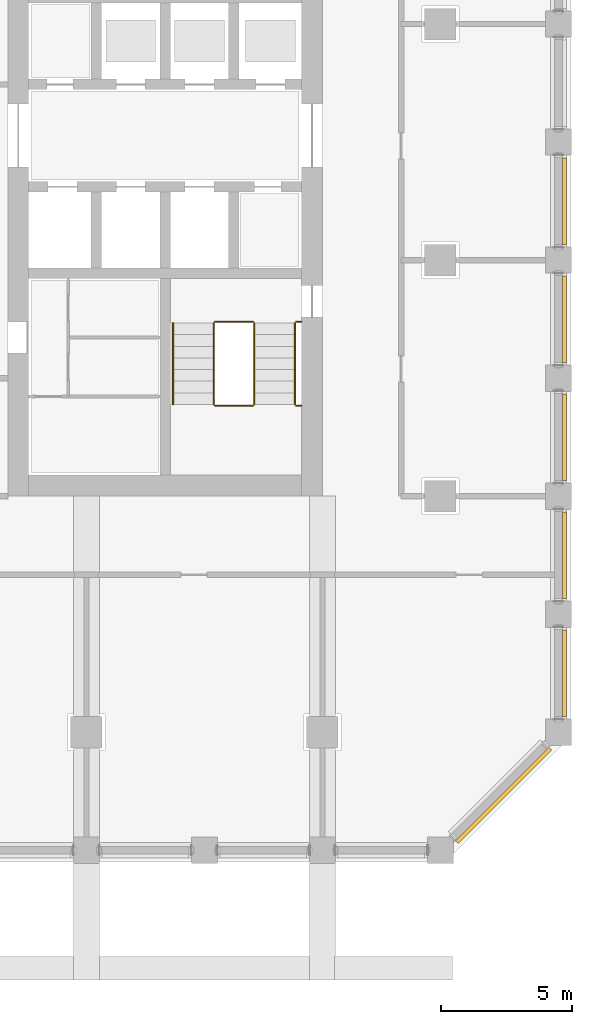
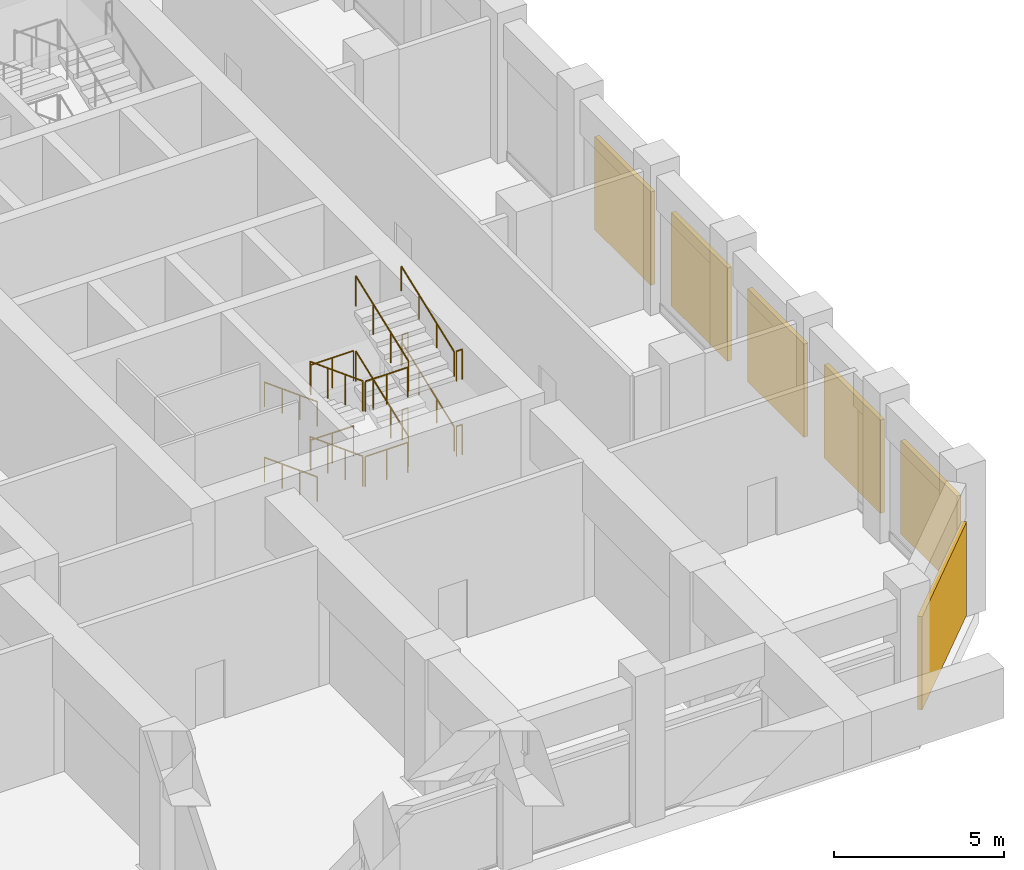
# One storey, part 15 of 20: 16 railings, 6 shading devices.
"""IFC4 building model written with IfcOpenShell, lengths in metres."""

import ifcopenshell
import ifcopenshell.guid

model = None  # the IFC model being written
_history = None  # IfcOwnerHistory: only IFC2X3 demands one
_inside = {}  # id of a spatial element -> (the spatial element, [elements in it])
_under = {}  # id of a project, library or spatial element -> (it, [spatial elements below it])
_declared = {}  # id of a project -> (the project, [libraries it declares])
_typed = {}  # id of a type object -> (the type object, [elements of that type])
_made_of = {}  # id of a material, layer set ... -> (it, [elements and type objects made of it])


def new_model(schema):
    """Start an empty IFC model of exactly this schema.

    Asked for "IFC4X3", IfcOpenShell would pick the latest addendum, in which some entities
    have other attributes; the version numbers below select the first issue.
    IFC2X3 requires an IfcOwnerHistory on every rooted entity: one is made here for all.
    """
    global model, _history
    if schema == "IFC4X3":
        model = ifcopenshell.file(schema_version=(4, 3, 0, 0))
    else:
        model = ifcopenshell.file(schema=schema)
    _inside.clear()
    _under.clear()
    _declared.clear()
    _typed.clear()
    _made_of.clear()
    _history = None
    if model.schema == "IFC2X3":
        org = make("IfcOrganization", Name="unknown")
        user = make(
            "IfcPersonAndOrganization",
            ThePerson=make("IfcPerson", FamilyName="unknown"),
            TheOrganization=org,
        )
        app = make(
            "IfcApplication",
            ApplicationDeveloper=org,
            Version="unknown",
            ApplicationFullName="unknown",
            ApplicationIdentifier="unknown",
        )
        _history = make(
            "IfcOwnerHistory",
            OwningUser=user,
            OwningApplication=app,
            ChangeAction="ADDED",
            CreationDate=0,
        )
    return model


def make(cls, **values):
    """One entity of the class cls with the attributes given. An attribute that is None is left unset."""
    return model.create_entity(
        cls, **{name: value for name, value in values.items() if value is not None}
    )


def rooted(cls, **values):
    """An entity with a GlobalId (a new one), such as an element, a storey or a relation."""
    return make(cls, GlobalId=ifcopenshell.guid.new(), OwnerHistory=_history, **values)


def si_unit(unit_type, name, prefix=None):
    """IfcSIUnit, for example si_unit("LENGTHUNIT", "METRE", prefix="MILLI")."""
    return make("IfcSIUnit", UnitType=unit_type, Prefix=prefix, Name=name)


def assignment(units):
    """IfcUnitAssignment: the units of a project."""
    return None if units is None else make("IfcUnitAssignment", Units=units)


def point(xyz):
    """IfcCartesianPoint."""
    return None if xyz is None else make("IfcCartesianPoint", Coordinates=xyz)


def direction(xyz):
    """IfcDirection."""
    return None if xyz is None else make("IfcDirection", DirectionRatios=xyz)


def frame(location, z_axis=None, x_axis=None):
    """IfcAxis2Placement3D, a coordinate frame: its origin and axes. An axis left out is left unset."""
    return make(
        "IfcAxis2Placement3D",
        Location=point(location),
        Axis=direction(z_axis),
        RefDirection=direction(x_axis),
    )


def frame_2d(location, x_axis=None):
    """IfcAxis2Placement2D, a coordinate frame in the plane: its origin and x axis."""
    return make(
        "IfcAxis2Placement2D", Location=point(location), RefDirection=direction(x_axis)
    )


def origin():
    """The frame at (0, 0, 0) with its axes left unset."""
    return frame((0.0, 0.0, 0.0))


def origin_2d():
    """The frame at (0, 0) in the plane with its x axis left unset."""
    return frame_2d((0.0, 0.0))


def place(relative_to, where):
    """IfcLocalPlacement: puts the frame where relative to a parent placement (None: the world)."""
    return make(
        "IfcLocalPlacement", PlacementRelTo=relative_to, RelativePlacement=where
    )


def context(
    kind, dimensions, precision=None, world=None, true_north=None, identifier=None
):
    """IfcGeometricRepresentationContext, for example the 3D "Model" context."""
    return make(
        "IfcGeometricRepresentationContext",
        ContextIdentifier=identifier,
        ContextType=kind,
        CoordinateSpaceDimension=dimensions,
        Precision=precision,
        WorldCoordinateSystem=world,
        TrueNorth=true_north,
    )


def subcontext(parent, identifier, kind, view, scale=None):
    """IfcGeometricRepresentationSubContext, for example "Body" below "Model"."""
    return make(
        "IfcGeometricRepresentationSubContext",
        ContextIdentifier=identifier,
        ContextType=kind,
        ParentContext=parent,
        TargetScale=scale,
        TargetView=view,
    )


def project(units=None, contexts=None):
    """IfcProject with its units and contexts."""
    return rooted(
        "IfcProject",
        Name="project",
        RepresentationContexts=contexts,
        UnitsInContext=assignment(units),
    )


def spatial(cls, under=None, at=None, **own):
    """A site, building, storey or space (cls), placed at a placement, below another one or the project."""
    s = rooted(cls, ObjectPlacement=at, **own)
    if under is not None:
        _under.setdefault(under.id(), (under, []))[1].append(s)
    return s


def profile(cls, at=None, kind="AREA", **sizes):
    """A parametric profile (cls). Its sizes go by their IFC names, for example OverallWidth=200.0."""
    return make(cls, ProfileType=kind, Position=at, **sizes)


def rectangle(**sizes):
    """IfcRectangleProfileDef."""
    return profile("IfcRectangleProfileDef", **sizes)


def circle(**sizes):
    """IfcCircleProfileDef."""
    return profile("IfcCircleProfileDef", **sizes)


def extrude(swept, where, along, depth):
    """IfcExtrudedAreaSolid: the profile swept, set in the frame where, extruded along a direction by depth."""
    return make(
        "IfcExtrudedAreaSolid",
        SweptArea=swept,
        Position=where,
        ExtrudedDirection=direction(along),
        Depth=depth,
    )


def shape(context_of_items, identifier, shape_type, items):
    """IfcShapeRepresentation: the items that make up one representation, for example the "Body"."""
    return make(
        "IfcShapeRepresentation",
        ContextOfItems=context_of_items,
        RepresentationIdentifier=identifier,
        RepresentationType=shape_type,
        Items=items,
    )


def material(Name=None, Category=None):
    """IfcMaterial."""
    return make("IfcMaterial", Name=Name, Category=Category)


def layer(
    of_material, thickness, ventilated=None, Name=None, Category=None, Priority=None
):
    """IfcMaterialLayer: one layer of a wall or slab, of a material (None: an air gap)."""
    return make(
        "IfcMaterialLayer",
        Material=of_material,
        LayerThickness=thickness,
        IsVentilated=ventilated,
        Name=Name,
        Category=Category,
        Priority=Priority,
    )


def layer_set(layers, Name=None):
    """IfcMaterialLayerSet."""
    return make("IfcMaterialLayerSet", MaterialLayers=layers, LayerSetName=Name)


def made_of(thing, what):
    """Note that an element or type object is made of a material, layer set ...; save() writes the relation."""
    if what is not None:
        _made_of.setdefault(what.id(), (what, []))[1].append(thing)
    return thing


def type_object(cls, material=None, **own):
    """A type object (cls), such as IfcWallType, which elements share."""
    return made_of(rooted(cls, **own), material)


def element(
    cls,
    number,
    at=None,
    inside=None,
    cuts=None,
    type_object=None,
    material=None,
    context=None,
    identifier="Body",
    shape_type=None,
    held_by="IfcProductDefinitionShape",
    body=None,
    shapes=None,
    **own,
):
    """One element of the class cls, such as IfcWall. Its Tag is "e" and its number.

    at: its placement. inside: the storey or other place that contains it. cuts: it is an
    opening in that element (IfcRelVoidsElement). A single representation is given by context,
    identifier, shape_type and body (its items); several are given by shapes. held_by: the class
    of the entity that holds the representations. save() writes the other relations.
    """
    e = rooted(cls, Tag="e%d" % number, ObjectPlacement=at, **own)
    if body is not None:
        shapes = [shape(context, identifier, shape_type, body)]
    if shapes is not None:
        e.Representation = make(held_by, Representations=shapes)
    if inside is not None:
        _inside.setdefault(inside.id(), (inside, []))[1].append(e)
    if cuts is not None:
        rooted(
            "IfcRelVoidsElement", RelatingBuildingElement=cuts, RelatedOpeningElement=e
        )
    if type_object is not None:
        _typed.setdefault(type_object.id(), (type_object, []))[1].append(e)
    return made_of(e, material)


def aggregate(whole, parts):
    """IfcRelAggregates: a whole, such as a stair, and the parts it consists of."""
    return rooted("IfcRelAggregates", RelatingObject=whole, RelatedObjects=parts)


def save(model, path):
    """Write the relations noted so far, then the file.

    IfcRelAggregates (storeys below a building ...), IfcRelContainedInSpatialStructure (elements
    in a storey), IfcRelDefinesByType, IfcRelAssociatesMaterial and IfcRelDeclares: one each for
    every whole, place, type object, material and project.
    """
    for whole, parts in _under.values():
        aggregate(whole, parts)
    for where, things in _inside.values():
        rooted(
            "IfcRelContainedInSpatialStructure",
            RelatedElements=things,
            RelatingStructure=where,
        )
    for kind, things in _typed.values():
        rooted("IfcRelDefinesByType", RelatedObjects=things, RelatingType=kind)
    for what, things in _made_of.values():
        rooted("IfcRelAssociatesMaterial", RelatedObjects=things, RelatingMaterial=what)
    for by, libraries in _declared.values():
        rooted("IfcRelDeclares", RelatingContext=by, RelatedDefinitions=libraries)
    model.write(path)


model = new_model("IFC4")

# Units and contexts
model_context = context("Model", 3, precision=1e-05, world=origin(), true_north=direction((0.0, 1.0)))
body_context = subcontext(model_context, "Body", "Model", "MODEL_VIEW")
ifc_project = project(units=[si_unit("LENGTHUNIT", "METRE"), si_unit("AREAUNIT", "SQUARE_METRE"), si_unit("VOLUMEUNIT", "CUBIC_METRE"), si_unit("PLANEANGLEUNIT", "RADIAN"), si_unit("MASSUNIT", "GRAM", prefix="KILO")], contexts=[model_context])

# Site, building, storey
site_placement = place(None, origin())
site = spatial("IfcSite", under=ifc_project, at=site_placement, CompositionType="ELEMENT")
building_placement = place(site_placement, origin())
building = spatial("IfcBuilding", under=site, at=building_placement, Name="Corbel Stack Research Tower", CompositionType="ELEMENT")
storey_placement = place(building_placement, frame((0.0, 0.0, 151.39990234375)))
storey = spatial("IfcBuildingStorey", under=building, at=storey_placement, Name="L34", CompositionType="ELEMENT", Elevation=151.39990234375)

# Shading devices
ifc_material_1 = material(Name="Aluminium louvre", Category="aluminium")
ifc_layer = layer(ifc_material_1, 0.14990234375)
ifc_layer_set = layer_set([ifc_layer], Name="Aluminium louvre")
shading_device_type = type_object("IfcShadingDeviceType", Name="Plant louvre 150", PredefinedType="USERDEFINED", material=ifc_layer_set)
shading_device_placement = place(storey_placement, frame((24.9091796875, -20.4091796875, 0.199951171875), z_axis=(0.0, 0.0, 1.0), x_axis=(0.707106781187, 0.707106781187, 0.0)))
element("IfcShadingDevice", 1, at=shading_device_placement, inside=storey, type_object=shading_device_type, Name="Plant louvre L34 SE01", ObjectType="LOUVRE", PredefinedType="USERDEFINED", context=body_context, shape_type="SweptSolid", body=[
    extrude(rectangle(XDim=5.0498046875, YDim=0.14990234375, at=origin_2d()), origin(), (0.0, 0.0, 1.0), 3.35009765625),
])
for number, where, z_axis, x_axis, name in (
    (2, (27.22509765625, -15.75, 0.199951171875), (0.0, 0.0, 1.0), (0.0, 1.0, 0.0), "Plant louvre L34 E01"),
    (3, (27.22509765625, -11.25, 0.199951171875), (0.0, 0.0, 1.0), (0.0, 1.0, 0.0), "Plant louvre L34 E02"),
    (4, (27.22509765625, -6.75, 0.199951171875), (0.0, 0.0, 1.0), (0.0, 1.0, 0.0), "Plant louvre L34 E03"),
    (5, (27.22509765625, -2.25, 0.199951171875), (0.0, 0.0, 1.0), (0.0, 1.0, 0.0), "Plant louvre L34 E04"),
    (6, (27.22509765625, 2.25, 0.199951171875), (0.0, 0.0, 1.0), (0.0, 1.0, 0.0), "Plant louvre L34 E05"),
):
    element("IfcShadingDevice", number, at=place(storey_placement, frame(where, z_axis=z_axis, x_axis=x_axis)), inside=storey, type_object=shading_device_type, Name=name, ObjectType="LOUVRE", PredefinedType="USERDEFINED", context=body_context, shape_type="SweptSolid", body=[
        extrude(rectangle(XDim=3.300048828125, YDim=0.14990234375, at=origin_2d()), origin(), (0.0, 0.0, 1.0), 3.35009765625),
    ])

# Railings
ifc_material_2 = material(Name="Steel S355", Category="steel")
railing_type_1 = type_object("IfcRailingType", Name="Stair guard 1100", PredefinedType="GUARDRAIL", material=ifc_material_2)
railing_1_placement = place(storey_placement, frame((13.85009765625, -2.39990234375, 0.1689453125)))
element("IfcRailing", 7, at=railing_1_placement, inside=storey, type_object=railing_type_1, Name="L34 ST-E1 stair guard 1", PredefinedType="GUARDRAIL", context=body_context, shape_type="SweptSolid", body=[
    extrude(circle(Radius=0.02392578125, at=origin_2d()), frame((0.0, 0.0, 1.076171875), z_axis=(0.0, -0.934508712189, 0.355940257406), x_axis=(1.0, 0.0, 0.0)), (0.0, 0.0, 1.0), 3.318359375),
    extrude(circle(Radius=0.02099609375, at=origin_2d()), origin(), (0.0, 0.0, 1.0), 1.052001953125),
    extrude(circle(Radius=0.02099609375, at=origin_2d()), frame((0.0, -1.03369140625, 0.393798828125)), (0.0, 0.0, 1.0), 1.052001953125),
    extrude(circle(Radius=0.02099609375, at=origin_2d()), frame((0.0, -2.0673828125, 0.787353515625)), (0.0, 0.0, 1.0), 1.052001953125),
    extrude(circle(Radius=0.02099609375, at=origin_2d()), frame((0.0, -3.10107421875, 1.18115234375)), (0.0, 0.0, 1.0), 1.052001953125),
])
railing_2_placement = place(storey_placement, frame((13.89990234375, -5.551025390625, 1.35009765625)))
element("IfcRailing", 8, at=railing_2_placement, inside=storey, type_object=railing_type_1, Name="L34 ST-E1 stair guard 2", PredefinedType="GUARDRAIL", context=body_context, shape_type="SweptSolid", body=[
    extrude(circle(Radius=0.02392578125, at=origin_2d()), frame((0.0, 0.0, 1.076171875), z_axis=(1.0, 0.0, 0.0), x_axis=(0.0, 1.0, 0.0)), (0.0, 0.0, 1.0), 1.4501953125),
    extrude(circle(Radius=0.02099609375, at=origin_2d()), origin(), (0.0, 0.0, 1.0), 1.052001953125),
    extrude(circle(Radius=0.02099609375, at=origin_2d()), frame((0.72509765625, 0.0, 0.0)), (0.0, 0.0, 1.0), 1.052001953125),
    extrude(circle(Radius=0.02099609375, at=origin_2d()), frame((1.4501953125, 0.0, 0.0)), (0.0, 0.0, 1.0), 1.052001953125),
])
railing_3_placement = place(storey_placement, frame((17.0, -5.551025390625, 1.35009765625)))
element("IfcRailing", 9, at=railing_3_placement, inside=storey, type_object=railing_type_1, Name="L34 ST-E1 stair guard 3", PredefinedType="GUARDRAIL", context=body_context, shape_type="SweptSolid", body=[
    extrude(circle(Radius=0.02392578125, at=origin_2d()), frame((0.0, 0.0, 1.076171875), z_axis=(1.0, 0.0, 0.0), x_axis=(0.0, 1.0, 0.0)), (0.0, 0.0, 1.0), 0.199951171875),
    extrude(circle(Radius=0.02099609375, at=origin_2d()), origin(), (0.0, 0.0, 1.0), 1.052001953125),
    extrude(circle(Radius=0.02099609375, at=origin_2d()), frame((0.199951171875, 0.0, 0.0)), (0.0, 0.0, 1.0), 1.052001953125),
])
railing_4_placement = place(storey_placement, frame((15.39990234375, -5.5009765625, 1.518798828125)))
element("IfcRailing", 10, at=railing_4_placement, inside=storey, type_object=railing_type_1, Name="L34 ST-E1 stair guard 4", PredefinedType="GUARDRAIL", context=body_context, shape_type="SweptSolid", body=[
    extrude(circle(Radius=0.02392578125, at=origin_2d()), frame((0.0, 0.0, 1.076171875), z_axis=(0.0, 0.934484238495, 0.356004505596), x_axis=(-1.0, 0.0, 0.0)), (0.0, 0.0, 1.0), 3.318603515625),
    extrude(circle(Radius=0.02099609375, at=origin_2d()), origin(), (0.0, 0.0, 1.0), 1.052001953125),
    extrude(circle(Radius=0.02099609375, at=origin_2d()), frame((0.0, 1.03369140625, 0.393798828125)), (0.0, 0.0, 1.0), 1.052001953125),
    extrude(circle(Radius=0.02099609375, at=origin_2d()), frame((0.0, 2.0673828125, 0.78759765625)), (0.0, 0.0, 1.0), 1.052001953125),
    extrude(circle(Radius=0.02099609375, at=origin_2d()), frame((0.0, 3.10107421875, 1.181396484375)), (0.0, 0.0, 1.0), 1.052001953125),
])
railing_5_placement = place(storey_placement, frame((13.89990234375, -2.35009765625, 2.7001953125)))
element("IfcRailing", 11, at=railing_5_placement, inside=storey, type_object=railing_type_1, Name="L34 ST-E1 stair guard 5", PredefinedType="GUARDRAIL", context=body_context, shape_type="SweptSolid", body=[
    extrude(circle(Radius=0.02392578125, at=origin_2d()), frame((0.0, 0.0, 1.076171875), z_axis=(1.0, 0.0, 0.0), x_axis=(0.0, 1.0, 0.0)), (0.0, 0.0, 1.0), 1.4501953125),
    extrude(circle(Radius=0.02099609375, at=origin_2d()), origin(), (0.0, 0.0, 1.0), 1.052001953125),
    extrude(circle(Radius=0.02099609375, at=origin_2d()), frame((0.72509765625, 0.0, 0.0)), (0.0, 0.0, 1.0), 1.052001953125),
    extrude(circle(Radius=0.02099609375, at=origin_2d()), frame((1.4501953125, 0.0, 0.0)), (0.0, 0.0, 1.0), 1.052001953125),
])
railing_6_placement = place(storey_placement, frame((17.0, -2.35009765625, 2.7001953125)))
element("IfcRailing", 12, at=railing_6_placement, inside=storey, type_object=railing_type_1, Name="L34 ST-E1 stair guard 6", PredefinedType="GUARDRAIL", context=body_context, shape_type="SweptSolid", body=[
    extrude(circle(Radius=0.02392578125, at=origin_2d()), frame((0.0, 0.0, 1.076171875), z_axis=(1.0, 0.0, 0.0), x_axis=(0.0, 1.0, 0.0)), (0.0, 0.0, 1.0), 0.199951171875),
    extrude(circle(Radius=0.02099609375, at=origin_2d()), origin(), (0.0, 0.0, 1.0), 1.052001953125),
    extrude(circle(Radius=0.02099609375, at=origin_2d()), frame((0.199951171875, 0.0, 0.0)), (0.0, 0.0, 1.0), 1.052001953125),
])
railing_7_placement = place(storey_placement, frame((13.85009765625, -2.39990234375, 2.868896484375)))
element("IfcRailing", 13, at=railing_7_placement, inside=storey, type_object=railing_type_1, Name="L34 ST-E1 stair guard 7", PredefinedType="GUARDRAIL", context=body_context, shape_type="SweptSolid", body=[
    extrude(circle(Radius=0.02392578125, at=origin_2d()), frame((0.0, 0.0, 1.076171875), z_axis=(0.0, -0.934508712189, 0.355940257406), x_axis=(1.0, 0.0, 0.0)), (0.0, 0.0, 1.0), 3.318359375),
    extrude(circle(Radius=0.02099609375, at=origin_2d()), origin(), (0.0, 0.0, 1.0), 1.052001953125),
    extrude(circle(Radius=0.02099609375, at=origin_2d()), frame((0.0, -1.03369140625, 0.393798828125)), (0.0, 0.0, 1.0), 1.052001953125),
    extrude(circle(Radius=0.02099609375, at=origin_2d()), frame((0.0, -2.0673828125, 0.787353515625)), (0.0, 0.0, 1.0), 1.052001953125),
    extrude(circle(Radius=0.02099609375, at=origin_2d()), frame((0.0, -3.10107421875, 1.18115234375)), (0.0, 0.0, 1.0), 1.052001953125),
])
railing_8_placement = place(storey_placement, frame((13.89990234375, -5.551025390625, 4.050048828125)))
element("IfcRailing", 14, at=railing_8_placement, inside=storey, type_object=railing_type_1, Name="L34 ST-E1 stair guard 8", PredefinedType="GUARDRAIL", context=body_context, shape_type="SweptSolid", body=[
    extrude(circle(Radius=0.02392578125, at=origin_2d()), frame((0.0, 0.0, 1.076171875), z_axis=(1.0, 0.0, 0.0), x_axis=(0.0, 1.0, 0.0)), (0.0, 0.0, 1.0), 1.4501953125),
    extrude(circle(Radius=0.02099609375, at=origin_2d()), origin(), (0.0, 0.0, 1.0), 1.052001953125),
    extrude(circle(Radius=0.02099609375, at=origin_2d()), frame((0.72509765625, 0.0, 0.0)), (0.0, 0.0, 1.0), 1.052001953125),
    extrude(circle(Radius=0.02099609375, at=origin_2d()), frame((1.4501953125, 0.0, 0.0)), (0.0, 0.0, 1.0), 1.052001953125),
])
railing_9_placement = place(storey_placement, frame((17.0, -5.551025390625, 4.050048828125)))
element("IfcRailing", 15, at=railing_9_placement, inside=storey, type_object=railing_type_1, Name="L34 ST-E1 stair guard 9", PredefinedType="GUARDRAIL", context=body_context, shape_type="SweptSolid", body=[
    extrude(circle(Radius=0.02392578125, at=origin_2d()), frame((0.0, 0.0, 1.076171875), z_axis=(1.0, 0.0, 0.0), x_axis=(0.0, 1.0, 0.0)), (0.0, 0.0, 1.0), 0.199951171875),
    extrude(circle(Radius=0.02099609375, at=origin_2d()), origin(), (0.0, 0.0, 1.0), 1.052001953125),
    extrude(circle(Radius=0.02099609375, at=origin_2d()), frame((0.199951171875, 0.0, 0.0)), (0.0, 0.0, 1.0), 1.052001953125),
])
railing_10_placement = place(storey_placement, frame((15.39990234375, -5.5009765625, 4.21875)))
element("IfcRailing", 16, at=railing_10_placement, inside=storey, type_object=railing_type_1, Name="L34 ST-E1 stair guard 10", PredefinedType="GUARDRAIL", context=body_context, shape_type="SweptSolid", body=[
    extrude(circle(Radius=0.02392578125, at=origin_2d()), frame((0.0, 0.0, 1.076171875), z_axis=(0.0, 0.934484238495, 0.356004505596), x_axis=(-1.0, 0.0, 0.0)), (0.0, 0.0, 1.0), 3.318603515625),
    extrude(circle(Radius=0.02099609375, at=origin_2d()), origin(), (0.0, 0.0, 1.0), 1.052001953125),
    extrude(circle(Radius=0.02099609375, at=origin_2d()), frame((0.0, 1.03369140625, 0.393798828125)), (0.0, 0.0, 1.0), 1.052001953125),
    extrude(circle(Radius=0.02099609375, at=origin_2d()), frame((0.0, 2.0673828125, 0.78759765625)), (0.0, 0.0, 1.0), 1.052001953125),
    extrude(circle(Radius=0.02099609375, at=origin_2d()), frame((0.0, 3.10107421875, 1.181396484375)), (0.0, 0.0, 1.0), 1.052001953125),
])
railing_11_placement = place(storey_placement, frame((13.89990234375, -2.35009765625, 0.0)))
element("IfcRailing", 17, at=railing_11_placement, inside=storey, type_object=railing_type_1, Name="L34 ST-E1 stair guard 11", PredefinedType="GUARDRAIL", context=body_context, shape_type="SweptSolid", body=[
    extrude(circle(Radius=0.02392578125, at=origin_2d()), frame((0.0, 0.0, 1.076171875), z_axis=(1.0, 0.0, 0.0), x_axis=(0.0, 1.0, 0.0)), (0.0, 0.0, 1.0), 1.4501953125),
    extrude(circle(Radius=0.02099609375, at=origin_2d()), origin(), (0.0, 0.0, 1.0), 1.052001953125),
    extrude(circle(Radius=0.02099609375, at=origin_2d()), frame((0.72509765625, 0.0, 0.0)), (0.0, 0.0, 1.0), 1.052001953125),
    extrude(circle(Radius=0.02099609375, at=origin_2d()), frame((1.4501953125, 0.0, 0.0)), (0.0, 0.0, 1.0), 1.052001953125),
])
railing_12_placement = place(storey_placement, frame((17.0, -2.35009765625, 0.0)))
element("IfcRailing", 18, at=railing_12_placement, inside=storey, type_object=railing_type_1, Name="L34 ST-E1 stair guard 12", PredefinedType="GUARDRAIL", context=body_context, shape_type="SweptSolid", body=[
    extrude(circle(Radius=0.02392578125, at=origin_2d()), frame((0.0, 0.0, 1.076171875), z_axis=(1.0, 0.0, 0.0), x_axis=(0.0, 1.0, 0.0)), (0.0, 0.0, 1.0), 0.199951171875),
    extrude(circle(Radius=0.02099609375, at=origin_2d()), origin(), (0.0, 0.0, 1.0), 1.052001953125),
    extrude(circle(Radius=0.02099609375, at=origin_2d()), frame((0.199951171875, 0.0, 0.0)), (0.0, 0.0, 1.0), 1.052001953125),
])
ifc_material_3 = material(Name="Steel S355", Category="steel")
railing_type_2 = type_object("IfcRailingType", Name="Stair handrail 900", PredefinedType="HANDRAIL", material=ifc_material_3)
railing_13_placement = place(storey_placement, frame((12.300048828125, -2.39990234375, 0.1689453125)))
element("IfcRailing", 19, at=railing_13_placement, inside=storey, type_object=railing_type_2, Name="L34 ST-E1 stair handrail 1", PredefinedType="HANDRAIL", context=body_context, shape_type="SweptSolid", body=[
    extrude(circle(Radius=0.02392578125, at=origin_2d()), frame((0.0, 0.0, 0.8759765625), z_axis=(0.0, -0.934508712189, 0.355940257406), x_axis=(1.0, 0.0, 0.0)), (0.0, 0.0, 1.0), 3.318359375),
    extrude(circle(Radius=0.02099609375, at=origin_2d()), origin(), (0.0, 0.0, 1.0), 0.851806640625),
    extrude(circle(Radius=0.02099609375, at=origin_2d()), frame((0.0, -1.03369140625, 0.393798828125)), (0.0, 0.0, 1.0), 0.851806640625),
    extrude(circle(Radius=0.02099609375, at=origin_2d()), frame((0.0, -2.0673828125, 0.787353515625)), (0.0, 0.0, 1.0), 0.851806640625),
    extrude(circle(Radius=0.02099609375, at=origin_2d()), frame((0.0, -3.10107421875, 1.18115234375)), (0.0, 0.0, 1.0), 0.851806640625),
])
railing_14_placement = place(storey_placement, frame((16.949951171875, -5.5009765625, 1.518798828125)))
element("IfcRailing", 20, at=railing_14_placement, inside=storey, type_object=railing_type_2, Name="L34 ST-E1 stair handrail 2", PredefinedType="HANDRAIL", context=body_context, shape_type="SweptSolid", body=[
    extrude(circle(Radius=0.02392578125, at=origin_2d()), frame((0.0, 0.0, 0.8759765625), z_axis=(0.0, 0.934484238495, 0.356004505596), x_axis=(-1.0, 0.0, 0.0)), (0.0, 0.0, 1.0), 3.318603515625),
    extrude(circle(Radius=0.02099609375, at=origin_2d()), origin(), (0.0, 0.0, 1.0), 0.851806640625),
    extrude(circle(Radius=0.02099609375, at=origin_2d()), frame((0.0, 1.03369140625, 0.393798828125)), (0.0, 0.0, 1.0), 0.851806640625),
    extrude(circle(Radius=0.02099609375, at=origin_2d()), frame((0.0, 2.0673828125, 0.78759765625)), (0.0, 0.0, 1.0), 0.851806640625),
    extrude(circle(Radius=0.02099609375, at=origin_2d()), frame((0.0, 3.10107421875, 1.181396484375)), (0.0, 0.0, 1.0), 0.851806640625),
])
railing_15_placement = place(storey_placement, frame((12.300048828125, -2.39990234375, 2.868896484375)))
element("IfcRailing", 21, at=railing_15_placement, inside=storey, type_object=railing_type_2, Name="L34 ST-E1 stair handrail 3", PredefinedType="HANDRAIL", context=body_context, shape_type="SweptSolid", body=[
    extrude(circle(Radius=0.02392578125, at=origin_2d()), frame((0.0, 0.0, 0.8759765625), z_axis=(0.0, -0.934508712189, 0.355940257406), x_axis=(1.0, 0.0, 0.0)), (0.0, 0.0, 1.0), 3.318359375),
    extrude(circle(Radius=0.02099609375, at=origin_2d()), origin(), (0.0, 0.0, 1.0), 0.851806640625),
    extrude(circle(Radius=0.02099609375, at=origin_2d()), frame((0.0, -1.03369140625, 0.393798828125)), (0.0, 0.0, 1.0), 0.851806640625),
    extrude(circle(Radius=0.02099609375, at=origin_2d()), frame((0.0, -2.0673828125, 0.787353515625)), (0.0, 0.0, 1.0), 0.851806640625),
    extrude(circle(Radius=0.02099609375, at=origin_2d()), frame((0.0, -3.10107421875, 1.18115234375)), (0.0, 0.0, 1.0), 0.851806640625),
])
railing_16_placement = place(storey_placement, frame((16.949951171875, -5.5009765625, 4.21875)))
element("IfcRailing", 22, at=railing_16_placement, inside=storey, type_object=railing_type_2, Name="L34 ST-E1 stair handrail 4", PredefinedType="HANDRAIL", context=body_context, shape_type="SweptSolid", body=[
    extrude(circle(Radius=0.02392578125, at=origin_2d()), frame((0.0, 0.0, 0.8759765625), z_axis=(0.0, 0.934484238495, 0.356004505596), x_axis=(-1.0, 0.0, 0.0)), (0.0, 0.0, 1.0), 3.318603515625),
    extrude(circle(Radius=0.02099609375, at=origin_2d()), origin(), (0.0, 0.0, 1.0), 0.851806640625),
    extrude(circle(Radius=0.02099609375, at=origin_2d()), frame((0.0, 1.03369140625, 0.393798828125)), (0.0, 0.0, 1.0), 0.851806640625),
    extrude(circle(Radius=0.02099609375, at=origin_2d()), frame((0.0, 2.0673828125, 0.78759765625)), (0.0, 0.0, 1.0), 0.851806640625),
    extrude(circle(Radius=0.02099609375, at=origin_2d()), frame((0.0, 3.10107421875, 1.181396484375)), (0.0, 0.0, 1.0), 0.851806640625),
])

save(model, "model.ifc")
